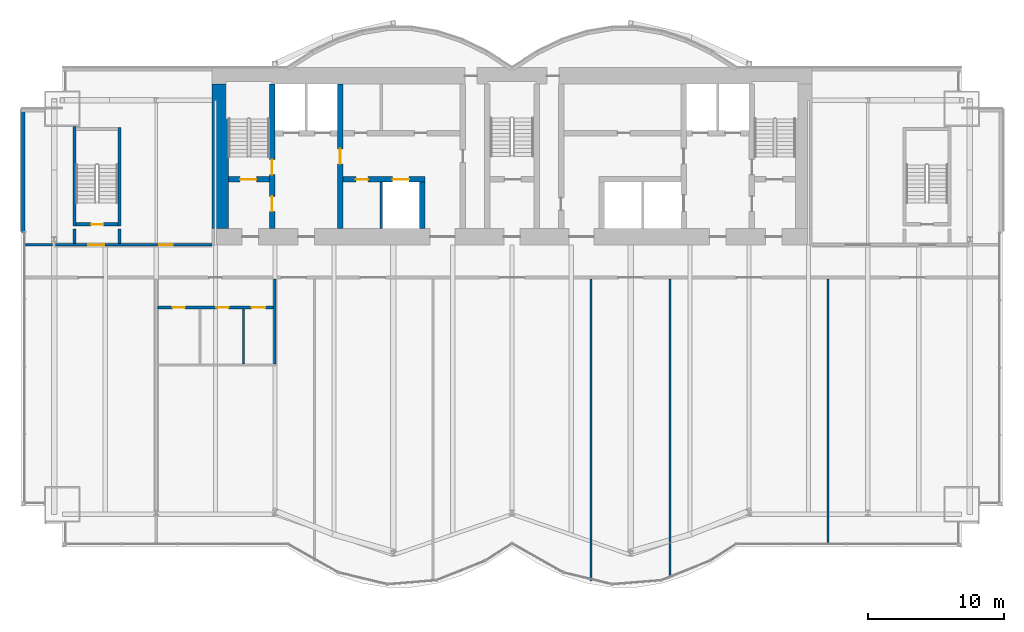
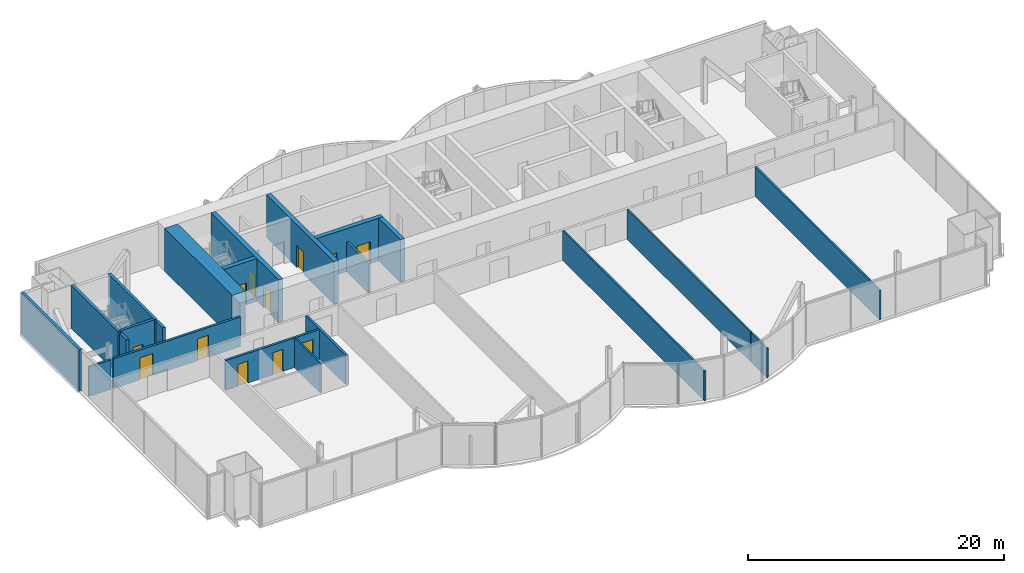
# One storey, part 15 of 21: 22 walls, 12 doors, 12 openings.
"""IFC4 building model written with IfcOpenShell, lengths in metres."""

from ifc_helpers import new_model, si_unit, direction, frame, frame_2d, origin, place, context, subcontext, project, spatial, rectangle, extrude, material, layer, layer_set, layer_usage, type_object, element, fill, save


model = new_model("IFC4")

# Units and contexts
model_context = context("Model", 3, precision=1e-05, world=origin(), true_north=direction((0.0, 1.0)))
body_context = subcontext(model_context, "Body", "Model", "MODEL_VIEW")
ifc_project = project(units=[si_unit("LENGTHUNIT", "METRE"), si_unit("AREAUNIT", "SQUARE_METRE"), si_unit("VOLUMEUNIT", "CUBIC_METRE"), si_unit("PLANEANGLEUNIT", "RADIAN"), si_unit("MASSUNIT", "GRAM", prefix="KILO")], contexts=[model_context])

# Site, building, storey
site_placement = place(None, origin())
site = spatial("IfcSite", under=ifc_project, at=site_placement, CompositionType="ELEMENT")
building_placement = place(site_placement, origin())
building = spatial("IfcBuilding", under=site, at=building_placement, Name="Bicima Exchange Tower", CompositionType="ELEMENT")
storey_placement = place(building_placement, frame((0.0, 0.0, 156.800048828125)))
storey = spatial("IfcBuildingStorey", under=building, at=storey_placement, Name="L34", CompositionType="ELEMENT", Elevation=156.800048828125)

# Wall
ifc_material_1 = material(Name="Gypsum board partition")
ifc_layer_1 = layer(ifc_material_1, 0.199951171875)
ifc_layer_set_1 = layer_set([ifc_layer_1], Name="Gypsum board partition")
wall_type_1 = type_object("IfcWallType", Name="Fire-rated gypsum partition 200 EI120", PredefinedType="PARTITIONING", material=ifc_layer_set_1)
wall_1_placement = place(storey_placement, frame((-9.60009765625, -11.800048828125, 0.0), z_axis=(0.0, 0.0, 1.0), x_axis=(0.0, 1.0, 0.0)))
element("IfcWall", 1, at=wall_1_placement, inside=storey, type_object=wall_type_1, Name="partition wall 11", PredefinedType="PARTITIONING", context=body_context, shape_type="SweptSolid", body=[
    extrude(rectangle(XDim=3.400146484375, YDim=0.199951171875, at=frame_2d((1.7001953125, 0.0))), origin(), (0.0, 0.0, 1.0), 2.84033203125),
])

# Wall, openings, doors
ifc_layer_2 = layer(ifc_material_1, 0.199951171875)
ifc_layer_set_2 = layer_set([ifc_layer_2], Name="Gypsum board partition")
wall_type_2 = type_object("IfcWallType", Name="Fire-rated gypsum partition 200 EI60", PredefinedType="PARTITIONING", material=ifc_layer_set_2)
wall_2_placement = place(storey_placement, frame((-26.0, -17.60009765625, 0.0), z_axis=(0.0, 0.0, 1.0), x_axis=(1.0, 0.0, 0.0)))
wall_2 = element("IfcWall", 2, at=wall_2_placement, inside=storey, type_object=wall_type_2, Name="partition wall 2", PredefinedType="PARTITIONING", context=body_context, shape_type="SweptSolid", body=[
    extrude(rectangle(XDim=8.5, YDim=0.199951171875, at=frame_2d((4.25, 0.0))), origin(), (0.0, 0.0, 1.0), 2.84033203125),
])
opening_1_placement = place(wall_2_placement, frame((1.10009765625, 0.0, 0.0)))
opening_1 = element("IfcOpeningElement", 3, at=opening_1_placement, cuts=wall_2, Name="Opening L34-009", PredefinedType="OPENING", context=body_context, shape_type="SweptSolid", body=[
    extrude(rectangle(XDim=0.89990234375, YDim=2.10009765625, at=frame_2d((0.449951171875, 1.050048828125))), frame((0.0, 0.11181640625, 0.0), z_axis=(0.0, -1.0, 0.0), x_axis=(1.0, 0.0, 0.0)), (0.0, 0.0, 1.0), 0.223876953125),
])
opening_2_placement = place(wall_2_placement, frame((4.300048828125, 0.0, 0.0)))
opening_2 = element("IfcOpeningElement", 4, at=opening_2_placement, cuts=wall_2, Name="Opening L34-010", PredefinedType="OPENING", context=body_context, shape_type="SweptSolid", body=[
    extrude(rectangle(XDim=0.89990234375, YDim=2.10009765625, at=frame_2d((0.449951171875, 1.050048828125))), frame((0.0, 0.11181640625, 0.0), z_axis=(0.0, -1.0, 0.0), x_axis=(1.0, 0.0, 0.0)), (0.0, 0.0, 1.0), 0.223876953125),
])
opening_3_placement = place(wall_2_placement, frame((6.89990234375, 0.0, 0.0)))
opening_3 = element("IfcOpeningElement", 5, at=opening_3_placement, cuts=wall_2, Name="Opening L34-011", PredefinedType="OPENING", context=body_context, shape_type="SweptSolid", body=[
    extrude(rectangle(XDim=1.0, YDim=2.10009765625, at=frame_2d((0.5, 1.050048828125))), frame((0.0, 0.11181640625, 0.0), z_axis=(0.0, -1.0, 0.0), x_axis=(1.0, 0.0, 0.0)), (0.0, 0.0, 1.0), 0.223876953125),
])
ifc_material_2 = material(Name="Steel fire door leaf", Category="steel")
door_type_1 = type_object("IfcDoorType", Name="Door 1000 swing FD30S", OperationType="SINGLE_SWING_LEFT", PredefinedType="DOOR", material=ifc_material_2)
door_1_placement = place(opening_3_placement, frame((1.0, 0.0, 0.0), z_axis=(0.0, 0.0, 1.0), x_axis=(-1.0, 0.0, 0.0)))
door_1 = element("IfcDoor", 6, at=door_1_placement, inside=storey, type_object=door_type_1, Name="Door", OperationType="SINGLE_SWING_RIGHT", OverallHeight=2.10009765625, OverallWidth=1.0, PredefinedType="DOOR", context=body_context, shape_type="SweptSolid", body=[
    extrude(rectangle(XDim=1.0, YDim=2.10009765625, at=frame_2d((0.5, 1.050048828125))), frame((0.0, 0.02490234375, 0.0), z_axis=(0.0, -1.0, 0.0), x_axis=(1.0, 0.0, 0.0)), (0.0, 0.0, 1.0), 0.050048828125),
])
fill(opening_3, door_1)
door_type_2 = type_object("IfcDoorType", Name="Door 900 swing FD30S", OperationType="SINGLE_SWING_LEFT", PredefinedType="DOOR", material=ifc_material_2)
door_2_placement = place(opening_1_placement, frame((0.89990234375, 0.0, 0.0), z_axis=(0.0, 0.0, 1.0), x_axis=(-1.0, 0.0, 0.0)))
door_2 = element("IfcDoor", 7, at=door_2_placement, inside=storey, type_object=door_type_2, Name="Door", OperationType="SINGLE_SWING_RIGHT", OverallHeight=2.10009765625, OverallWidth=0.89990234375, PredefinedType="DOOR", context=body_context, shape_type="SweptSolid", body=[
    extrude(rectangle(XDim=0.89990234375, YDim=2.10009765625, at=frame_2d((0.449951171875, 1.050048828125))), frame((0.0, 0.02490234375, 0.0), z_axis=(0.0, -1.0, 0.0), x_axis=(1.0, 0.0, 0.0)), (0.0, 0.0, 1.0), 0.050048828125),
])
fill(opening_1, door_2)
door_3_placement = place(opening_2_placement, frame((0.89990234375, 0.0, 0.0), z_axis=(0.0, 0.0, 1.0), x_axis=(-1.0, 0.0, 0.0)))
door_3 = element("IfcDoor", 8, at=door_3_placement, inside=storey, type_object=door_type_2, Name="Door", OperationType="SINGLE_SWING_LEFT", OverallHeight=2.10009765625, OverallWidth=0.89990234375, PredefinedType="DOOR", context=body_context, shape_type="SweptSolid", body=[
    extrude(rectangle(XDim=0.89990234375, YDim=2.10009765625, at=frame_2d((0.449951171875, 1.050048828125))), frame((0.0, 0.02490234375, 0.0), z_axis=(0.0, -1.0, 0.0), x_axis=(1.0, 0.0, 0.0)), (0.0, 0.0, 1.0), 0.050048828125),
])
fill(opening_2, door_3)

# Wall
wall_3_placement = place(storey_placement, frame((-35.679931640625, -13.0, 0.0), z_axis=(0.0, 0.0, 1.0), x_axis=(1.0, 0.0, 0.0)))
element("IfcWall", 9, at=wall_3_placement, inside=storey, type_object=wall_type_2, Name="partition wall 4", PredefinedType="PARTITIONING", context=body_context, shape_type="SweptSolid", body=[
    extrude(rectangle(XDim=1.9599609375, YDim=0.199951171875, at=frame_2d((0.97998046875, 0.0))), origin(), (0.0, 0.0, 1.0), 2.84033203125),
])

# Wall, openings, doors
wall_4_placement = place(storey_placement, frame((-33.47998046875, -13.0, 0.0), z_axis=(0.0, 0.0, 1.0), x_axis=(1.0, 0.0, 0.0)))
wall_4 = element("IfcWall", 10, at=wall_4_placement, inside=storey, type_object=wall_type_2, Name="partition wall 5", PredefinedType="PARTITIONING", context=body_context, shape_type="SweptSolid", body=[
    extrude(rectangle(XDim=11.47998046875, YDim=0.199951171875, at=frame_2d((5.739990234375, 0.0))), origin(), (0.0, 0.0, 1.0), 2.84033203125),
])
opening_4_placement = place(wall_4_placement, frame((2.3798828125, 0.0, 0.0)))
opening_4 = element("IfcOpeningElement", 11, at=opening_4_placement, cuts=wall_4, Name="Opening L34-001", PredefinedType="OPENING", context=body_context, shape_type="SweptSolid", body=[
    extrude(rectangle(XDim=1.199951171875, YDim=2.10009765625, at=frame_2d((0.60009765625, 1.050048828125))), frame((0.0, 0.11181640625, 0.0), z_axis=(0.0, -1.0, 0.0), x_axis=(1.0, 0.0, 0.0)), (0.0, 0.0, 1.0), 0.223876953125),
])
opening_5_placement = place(wall_4_placement, frame((7.580078125, 0.0, 0.0)))
opening_5 = element("IfcOpeningElement", 12, at=opening_5_placement, cuts=wall_4, Name="Opening L34-005", PredefinedType="OPENING", context=body_context, shape_type="SweptSolid", body=[
    extrude(rectangle(XDim=1.0, YDim=2.10009765625, at=frame_2d((0.5, 1.050048828125))), frame((0.0, 0.11181640625, 0.0), z_axis=(0.0, -1.0, 0.0), x_axis=(1.0, 0.0, 0.0)), (0.0, 0.0, 1.0), 0.223876953125),
])
door_4_placement = place(opening_5_placement, origin())
door_4 = element("IfcDoor", 13, at=door_4_placement, inside=storey, type_object=door_type_1, Name="Door", OperationType="SINGLE_SWING_LEFT", OverallHeight=2.10009765625, OverallWidth=1.0, PredefinedType="DOOR", context=body_context, shape_type="SweptSolid", body=[
    extrude(rectangle(XDim=1.0, YDim=2.10009765625, at=frame_2d((0.5, 1.050048828125))), frame((0.0, 0.02490234375, 0.0), z_axis=(0.0, -1.0, 0.0), x_axis=(1.0, 0.0, 0.0)), (0.0, 0.0, 1.0), 0.050048828125),
])
fill(opening_5, door_4)
door_type_3 = type_object("IfcDoorType", Name="Door 1200 swing FD30S", OperationType="SINGLE_SWING_LEFT", PredefinedType="DOOR", material=ifc_material_2)
door_5_placement = place(opening_4_placement, origin())
door_5 = element("IfcDoor", 14, at=door_5_placement, inside=storey, type_object=door_type_3, Name="Door", OperationType="SINGLE_SWING_LEFT", OverallHeight=2.10009765625, OverallWidth=1.199951171875, PredefinedType="DOOR", context=body_context, shape_type="SweptSolid", body=[
    extrude(rectangle(XDim=1.199951171875, YDim=2.10009765625, at=frame_2d((0.60009765625, 1.050048828125))), frame((0.0, 0.02490234375, 0.0), z_axis=(0.0, -1.0, 0.0), x_axis=(1.0, 0.0, 0.0)), (0.0, 0.0, 1.0), 0.050048828125),
])
fill(opening_4, door_5)

# Walls
wall_5_placement = place(storey_placement, frame((-17.39990234375, -21.72509765625, 0.0), z_axis=(0.0, 0.0, 1.0), x_axis=(0.0, 1.0, 0.0)))
element("IfcWall", 15, at=wall_5_placement, inside=storey, type_object=wall_type_2, Name="partition wall 17", PredefinedType="PARTITIONING", context=body_context, shape_type="SweptSolid", body=[
    extrude(rectangle(XDim=6.22509765625, YDim=0.199951171875, at=frame_2d((3.112548828125, 0.0))), origin(), (0.0, 0.0, 1.0), 2.84033203125),
])
ifc_layer_3 = layer(ifc_material_1, 0.14990234375)
ifc_layer_set_3 = layer_set([ifc_layer_3], Name="Gypsum board partition")
wall_type_3 = type_object("IfcWallType", Name="Gypsum partition 150", PredefinedType="PARTITIONING", material=ifc_layer_set_3)
wall_6_placement = place(storey_placement, frame((-19.699951171875, -21.72509765625, 0.0), z_axis=(0.0, 0.0, 1.0), x_axis=(0.0, 1.0, 0.0)))
element("IfcWall", 16, at=wall_6_placement, inside=storey, type_object=wall_type_3, Name="partition wall 16", PredefinedType="PARTITIONING", context=body_context, shape_type="SweptSolid", body=[
    extrude(rectangle(XDim=4.025146484375, YDim=0.14990234375, at=frame_2d((2.0126953125, 0.0))), origin(), (0.0, 0.0, 1.0), 2.84033203125),
])
wall_7_placement = place(storey_placement, frame((5.800048828125, -37.669921875, 0.0), z_axis=(0.0, 0.0, 1.0), x_axis=(0.0, 1.0, 0.0)))
element("IfcWall", 17, at=wall_7_placement, inside=storey, type_object=wall_type_3, Name="partition wall 21", PredefinedType="PARTITIONING", context=body_context, shape_type="SweptSolid", body=[
    extrude(rectangle(XDim=22.169921875, YDim=0.14990234375, at=frame_2d((11.0849609375, 0.0))), origin(), (0.0, 0.0, 1.0), 2.84033203125),
])
wall_8_placement = place(storey_placement, frame((11.60009765625, -37.419921875, 0.0), z_axis=(0.0, 0.0, 1.0), x_axis=(0.0, 1.0, 0.0)))
element("IfcWall", 18, at=wall_8_placement, inside=storey, type_object=wall_type_3, Name="partition wall 22", PredefinedType="PARTITIONING", context=body_context, shape_type="SweptSolid", body=[
    extrude(rectangle(XDim=2.501953125, YDim=0.14990234375, at=frame_2d((1.2509765625, 0.0))), origin(), (0.0, 0.0, 1.0), 2.84033203125),
])
wall_9_placement = place(storey_placement, frame((11.60009765625, -34.85498046875, 0.0), z_axis=(0.0, 0.0, 1.0), x_axis=(0.0, 1.0, 0.0)))
element("IfcWall", 19, at=wall_9_placement, inside=storey, type_object=wall_type_3, Name="partition wall 23", PredefinedType="PARTITIONING", context=body_context, shape_type="SweptSolid", body=[
    extrude(rectangle(XDim=19.35498046875, YDim=0.14990234375, at=frame_2d((9.677490234375, 0.0))), origin(), (0.0, 0.0, 1.0), 2.84033203125),
])
wall_10_placement = place(storey_placement, frame((23.199951171875, -34.9599609375, 0.0), z_axis=(0.0, 0.0, 1.0), x_axis=(0.0, 1.0, 0.0)))
element("IfcWall", 20, at=wall_10_placement, inside=storey, type_object=wall_type_3, Name="partition wall 24", PredefinedType="PARTITIONING", context=body_context, shape_type="SweptSolid", body=[
    extrude(rectangle(XDim=19.4599609375, YDim=0.14990234375, at=frame_2d((9.72998046875, 0.0))), origin(), (0.0, 0.0, 1.0), 2.84033203125),
])
ifc_material_3 = material(Name="Concrete C50/60", Category="concrete")
ifc_layer_4 = layer(ifc_material_3, 1.199951171875)
ifc_layer_set_4 = layer_set([ifc_layer_4], Name="Concrete C50/60")
wall_type_4 = type_object("IfcWallType", Name="RC core wall 1200 C50/60", PredefinedType="SHEAR", material=ifc_layer_set_4)
wall_11_placement = place(storey_placement, frame((-21.39990234375, -11.800048828125, 0.0), z_axis=(0.0, 0.0, 1.0), x_axis=(0.0, 1.0, 0.0)))
element("IfcWall", 21, at=wall_11_placement, inside=storey, type_object=wall_type_4, Name="Core wall west", PredefinedType="SHEAR", context=body_context, shape_type="SweptSolid", body=[
    extrude(rectangle(XDim=10.60009765625, YDim=1.199951171875, at=frame_2d((5.300048828125, 0.0))), origin(), (0.0, 0.0, 1.0), 4.099853515625),
])
ifc_layer_5 = layer(ifc_material_3, 0.25)
ifc_layer_set_5 = layer_set([ifc_layer_5], Name="Concrete C50/60")
wall_type_5 = type_object("IfcWallType", Name="RC core wall 250 C50/60", PredefinedType="SHEAR", material=ifc_layer_set_5)
for number, where, z_axis, x_axis, name in (
    (22, (-32.10009765625, -12.89990234375, 0.0), (0.0, 0.0, 1.0), (0.0, 1.0, 0.0), "stair wall 12"),
    (23, (-28.800048828125, -12.89990234375, 0.0), (0.0, 0.0, 1.0), (0.0, 1.0, 0.0), "stair wall 13"),
):
    element("IfcWall", number, at=place(storey_placement, frame(where, z_axis=z_axis, x_axis=x_axis)), inside=storey, type_object=wall_type_5, Name=name, PredefinedType="SHEAR", context=body_context, shape_type="SweptSolid", body=[
        extrude(rectangle(XDim=1.0498046875, YDim=0.25, at=frame_2d((0.52490234375, 0.0))), origin(), (0.0, 0.0, 1.0), 4.099853515625),
    ])

# Wall, opening, door
ifc_layer_6 = layer(ifc_material_3, 0.39990234375)
ifc_layer_set_6 = layer_set([ifc_layer_6], Name="Concrete C50/60")
wall_type_6 = type_object("IfcWallType", Name="RC core wall 400 C50/60", PredefinedType="SHEAR", material=ifc_layer_set_6)
wall_12_placement = place(storey_placement, frame((-20.800048828125, -8.199951171875, 0.0), z_axis=(0.0, 0.0, 1.0), x_axis=(1.0, 0.0, 0.0)))
wall_12 = element("IfcWall", 24, at=wall_12_placement, inside=storey, type_object=wall_type_6, Name="stair wall 1", PredefinedType="SHEAR", context=body_context, shape_type="SweptSolid", body=[
    extrude(rectangle(XDim=3.0, YDim=0.39990234375, at=frame_2d((1.5, 0.0))), origin(), (0.0, 0.0, 1.0), 4.099853515625),
])
opening_6_placement = place(wall_12_placement, frame((0.85009765625, 0.0, 0.0)))
opening_6 = element("IfcOpeningElement", 25, at=opening_6_placement, cuts=wall_12, Name="Opening L34-C01", PredefinedType="OPENING", context=body_context, shape_type="SweptSolid", body=[
    extrude(rectangle(XDim=1.199951171875, YDim=2.10009765625, at=frame_2d((0.60009765625, 1.050048828125))), frame((0.0, 0.2119140625, 0.0), z_axis=(0.0, -1.0, 0.0), x_axis=(1.0, 0.0, 0.0)), (0.0, 0.0, 1.0), 0.423828125),
])
door_type_4 = type_object("IfcDoorType", Name="Door 1200 swing FD60S", OperationType="SINGLE_SWING_LEFT", PredefinedType="DOOR", material=ifc_material_2)
door_6_placement = place(opening_6_placement, origin())
door_6 = element("IfcDoor", 26, at=door_6_placement, inside=storey, type_object=door_type_4, Name="Core door", OperationType="SINGLE_SWING_LEFT", OverallHeight=2.10009765625, OverallWidth=1.199951171875, PredefinedType="DOOR", context=body_context, shape_type="SweptSolid", body=[
    extrude(rectangle(XDim=1.199951171875, YDim=2.10009765625, at=frame_2d((0.60009765625, 1.050048828125))), frame((0.0, 0.02490234375, 0.0), z_axis=(0.0, -1.0, 0.0), x_axis=(1.0, 0.0, 0.0)), (0.0, 0.0, 1.0), 0.050048828125),
])
fill(opening_6, door_6)

# Wall, openings, doors
wall_13_placement = place(storey_placement, frame((-12.39990234375, -8.199951171875, 0.0), z_axis=(0.0, 0.0, 1.0), x_axis=(1.0, 0.0, 0.0)))
wall_13 = element("IfcWall", 27, at=wall_13_placement, inside=storey, type_object=wall_type_6, Name="shear wall 2", PredefinedType="SHEAR", context=body_context, shape_type="SweptSolid", body=[
    extrude(rectangle(XDim=6.0, YDim=0.39990234375, at=frame_2d((3.0, 0.0))), origin(), (0.0, 0.0, 1.0), 4.099853515625),
])
opening_7_placement = place(wall_13_placement, frame((3.64990234375, 0.0, 0.0)))
opening_7 = element("IfcOpeningElement", 28, at=opening_7_placement, cuts=wall_13, Name="Opening LD-MB1-L34", PredefinedType="OPENING", context=body_context, shape_type="SweptSolid", body=[
    extrude(rectangle(XDim=1.199951171875, YDim=2.10009765625, at=frame_2d((0.60009765625, 1.050048828125))), frame((0.0, 0.2119140625, 0.0), z_axis=(0.0, -1.0, 0.0), x_axis=(1.0, 0.0, 0.0)), (0.0, 0.0, 1.0), 0.423828125),
])
opening_8_placement = place(wall_13_placement, frame((0.949951171875, 0.0, 0.0)))
opening_8 = element("IfcOpeningElement", 29, at=opening_8_placement, cuts=wall_13, Name="Opening L34-C15", PredefinedType="OPENING", context=body_context, shape_type="SweptSolid", body=[
    extrude(rectangle(XDim=0.89990234375, YDim=2.10009765625, at=frame_2d((0.449951171875, 1.050048828125))), frame((0.0, 0.2119140625, 0.0), z_axis=(0.0, -1.0, 0.0), x_axis=(1.0, 0.0, 0.0)), (0.0, 0.0, 1.0), 0.423828125),
])
door_7_placement = place(opening_8_placement, frame((0.89990234375, 0.0, 0.0), z_axis=(0.0, 0.0, 1.0), x_axis=(-1.0, 0.0, 0.0)))
door_7 = element("IfcDoor", 30, at=door_7_placement, inside=storey, type_object=door_type_2, Name="Core door", OperationType="SINGLE_SWING_RIGHT", OverallHeight=2.10009765625, OverallWidth=0.89990234375, PredefinedType="DOOR", context=body_context, shape_type="SweptSolid", body=[
    extrude(rectangle(XDim=0.89990234375, YDim=2.10009765625, at=frame_2d((0.449951171875, 1.050048828125))), frame((0.0, 0.02490234375, 0.0), z_axis=(0.0, -1.0, 0.0), x_axis=(1.0, 0.0, 0.0)), (0.0, 0.0, 1.0), 0.050048828125),
])
fill(opening_8, door_7)
ifc_material_4 = material(Name="Stainless steel", Category="steel")
door_type_5 = type_object("IfcDoorType", Name="Lift landing door 1200 sliding", OperationType="DOUBLE_DOOR_SLIDING", PredefinedType="DOOR", material=ifc_material_4)
door_8_placement = place(opening_7_placement, origin())
door_8 = element("IfcDoor", 31, at=door_8_placement, inside=storey, type_object=door_type_5, Name="Lift landing door MB1", OperationType="DOUBLE_DOOR_SLIDING", OverallHeight=2.10009765625, OverallWidth=1.199951171875, PredefinedType="DOOR", context=body_context, shape_type="SweptSolid", body=[
    extrude(rectangle(XDim=1.199951171875, YDim=2.10009765625, at=frame_2d((0.60009765625, 1.050048828125))), frame((0.0, 0.02490234375, 0.0), z_axis=(0.0, -1.0, 0.0), x_axis=(1.0, 0.0, 0.0)), (0.0, 0.0, 1.0), 0.050048828125),
])
fill(opening_7, door_8)

wall_14_placement = place(storey_placement, frame((-17.60009765625, -11.800048828125, 0.0), z_axis=(0.0, 0.0, 1.0), x_axis=(0.0, 1.0, 0.0)))
wall_14 = element("IfcWall", 32, at=wall_14_placement, inside=storey, type_object=wall_type_6, Name="stair wall 8", PredefinedType="SHEAR", context=body_context, shape_type="SweptSolid", body=[
    extrude(rectangle(XDim=10.60009765625, YDim=0.39990234375, at=frame_2d((5.300048828125, 0.0))), origin(), (0.0, 0.0, 1.0), 4.099853515625),
])
opening_9_placement = place(wall_14_placement, frame((1.25, 0.0, 0.0)))
opening_9 = element("IfcOpeningElement", 33, at=opening_9_placement, cuts=wall_14, Name="Opening L34-C02", PredefinedType="OPENING", context=body_context, shape_type="SweptSolid", body=[
    extrude(rectangle(XDim=1.10009765625, YDim=2.10009765625, at=frame_2d((0.550048828125, 1.050048828125))), frame((0.0, 0.2119140625, 0.0), z_axis=(0.0, -1.0, 0.0), x_axis=(1.0, 0.0, 0.0)), (0.0, 0.0, 1.0), 0.423828125),
])
opening_10_placement = place(wall_14_placement, frame((3.949951171875, 0.0, 0.0)))
opening_10 = element("IfcOpeningElement", 34, at=opening_10_placement, cuts=wall_14, Name="Opening L34-C06", PredefinedType="OPENING", context=body_context, shape_type="SweptSolid", body=[
    extrude(rectangle(XDim=1.10009765625, YDim=2.10009765625, at=frame_2d((0.550048828125, 1.050048828125))), frame((0.0, 0.2119140625, 0.0), z_axis=(0.0, -1.0, 0.0), x_axis=(1.0, 0.0, 0.0)), (0.0, 0.0, 1.0), 0.423828125),
])
door_type_6 = type_object("IfcDoorType", Name="Door 1100 swing FD60S", OperationType="SINGLE_SWING_LEFT", PredefinedType="DOOR", material=ifc_material_2)
door_9_placement = place(opening_9_placement, frame((1.10009765625, 0.0, 0.0), z_axis=(0.0, 0.0, 1.0), x_axis=(-1.0, 0.0, 0.0)))
door_9 = element("IfcDoor", 35, at=door_9_placement, inside=storey, type_object=door_type_6, Name="Core door", OperationType="SINGLE_SWING_LEFT", OverallHeight=2.10009765625, OverallWidth=1.10009765625, PredefinedType="DOOR", context=body_context, shape_type="SweptSolid", body=[
    extrude(rectangle(XDim=1.10009765625, YDim=2.10009765625, at=frame_2d((0.550048828125, 1.050048828125))), frame((0.0, 0.02490234375, 0.0), z_axis=(0.0, -1.0, 0.0), x_axis=(1.0, 0.0, 0.0)), (0.0, 0.0, 1.0), 0.050048828125),
])
fill(opening_9, door_9)
door_10_placement = place(opening_10_placement, frame((1.10009765625, 0.0, 0.0), z_axis=(0.0, 0.0, 1.0), x_axis=(-1.0, 0.0, 0.0)))
door_10 = element("IfcDoor", 36, at=door_10_placement, inside=storey, type_object=door_type_6, Name="Core door", OperationType="SINGLE_SWING_LEFT", OverallHeight=2.10009765625, OverallWidth=1.10009765625, PredefinedType="DOOR", context=body_context, shape_type="SweptSolid", body=[
    extrude(rectangle(XDim=1.10009765625, YDim=2.10009765625, at=frame_2d((0.550048828125, 1.050048828125))), frame((0.0, 0.02490234375, 0.0), z_axis=(0.0, -1.0, 0.0), x_axis=(1.0, 0.0, 0.0)), (0.0, 0.0, 1.0), 0.050048828125),
])
fill(opening_10, door_10)

# Wall, opening, door
wall_15_placement = place(storey_placement, frame((-12.60009765625, -11.800048828125, 0.0), z_axis=(0.0, 0.0, 1.0), x_axis=(0.0, 1.0, 0.0)))
wall_15 = element("IfcWall", 37, at=wall_15_placement, inside=storey, type_object=wall_type_6, Name="shear wall 10", PredefinedType="SHEAR", context=body_context, shape_type="SweptSolid", body=[
    extrude(rectangle(XDim=10.60009765625, YDim=0.39990234375, at=frame_2d((5.300048828125, 0.0))), origin(), (0.0, 0.0, 1.0), 4.099853515625),
])
opening_11_placement = place(wall_15_placement, frame((4.75, 0.0, 0.0)))
opening_11 = element("IfcOpeningElement", 38, at=opening_11_placement, cuts=wall_15, Name="Opening L34-C07", PredefinedType="OPENING", context=body_context, shape_type="SweptSolid", body=[
    extrude(rectangle(XDim=1.10009765625, YDim=2.10009765625, at=frame_2d((0.550048828125, 1.050048828125))), frame((0.0, 0.2119140625, 0.0), z_axis=(0.0, -1.0, 0.0), x_axis=(1.0, 0.0, 0.0)), (0.0, 0.0, 1.0), 0.423828125),
])
door_11_placement = place(opening_11_placement, origin())
door_11 = element("IfcDoor", 39, at=door_11_placement, inside=storey, type_object=door_type_6, Name="Core door", OperationType="SINGLE_SWING_LEFT", OverallHeight=2.10009765625, OverallWidth=1.10009765625, PredefinedType="DOOR", context=body_context, shape_type="SweptSolid", body=[
    extrude(rectangle(XDim=1.10009765625, YDim=2.10009765625, at=frame_2d((0.550048828125, 1.050048828125))), frame((0.0, 0.02490234375, 0.0), z_axis=(0.0, -1.0, 0.0), x_axis=(1.0, 0.0, 0.0)), (0.0, 0.0, 1.0), 0.050048828125),
])
fill(opening_11, door_11)

# Walls
wall_16_placement = place(storey_placement, frame((-6.60009765625, -11.800048828125, 0.0), z_axis=(0.0, 0.0, 1.0), x_axis=(0.0, 1.0, 0.0)))
element("IfcWall", 40, at=wall_16_placement, inside=storey, type_object=wall_type_6, Name="shear wall 13", PredefinedType="SHEAR", context=body_context, shape_type="SweptSolid", body=[
    extrude(rectangle(XDim=3.400146484375, YDim=0.39990234375, at=frame_2d((1.7001953125, 0.0))), origin(), (0.0, 0.0, 1.0), 4.099853515625),
])
ifc_layer_7 = layer(ifc_material_3, 0.25)
ifc_layer_set_7 = layer_set([ifc_layer_7], Name="Concrete C50/60")
wall_type_7 = type_object("IfcWallType", Name="RC stair enclosure wall 250 C50/60", PredefinedType="SHEAR", material=ifc_layer_set_7)
wall_17_placement = place(storey_placement, frame((-32.10009765625, -11.625, 0.0), z_axis=(0.0, 0.0, 1.0), x_axis=(0.0, 1.0, 0.0)))
element("IfcWall", 41, at=wall_17_placement, inside=storey, type_object=wall_type_7, Name="West end exit stair wall W", PredefinedType="SHEAR", context=body_context, shape_type="SweptSolid", body=[
    extrude(rectangle(XDim=7.324951171875, YDim=0.25, at=frame_2d((3.66259765625, 0.0))), origin(), (0.0, 0.0, 1.0), 4.099853515625),
])
wall_18_placement = place(storey_placement, frame((-28.800048828125, -11.625, 0.0), z_axis=(0.0, 0.0, 1.0), x_axis=(0.0, 1.0, 0.0)))
element("IfcWall", 42, at=wall_18_placement, inside=storey, type_object=wall_type_7, Name="West end exit stair wall E", PredefinedType="SHEAR", context=body_context, shape_type="SweptSolid", body=[
    extrude(rectangle(XDim=7.25, YDim=0.25, at=frame_2d((3.625, 0.0))), origin(), (0.0, 0.0, 1.0), 4.099853515625),
])

# Wall, opening, door
wall_19_placement = place(storey_placement, frame((-31.97509765625, -11.5, 0.0), z_axis=(0.0, 0.0, 1.0), x_axis=(1.0, 0.0, 0.0)))
wall_19 = element("IfcWall", 43, at=wall_19_placement, inside=storey, type_object=wall_type_7, Name="West end exit stair wall S", PredefinedType="SHEAR", context=body_context, shape_type="SweptSolid", body=[
    extrude(rectangle(XDim=3.050048828125, YDim=0.25, at=frame_2d((1.52490234375, 0.0))), origin(), (0.0, 0.0, 1.0), 4.099853515625),
])
opening_12_placement = place(wall_19_placement, frame((1.10009765625, 0.0, 0.0)))
opening_12 = element("IfcOpeningElement", 44, at=opening_12_placement, cuts=wall_19, Name="Opening L34-002", PredefinedType="OPENING", context=body_context, shape_type="SweptSolid", body=[
    extrude(rectangle(XDim=0.89990234375, YDim=2.10009765625, at=frame_2d((0.449951171875, 1.050048828125))), frame((0.0, 0.136962890625, 0.0), z_axis=(0.0, -1.0, 0.0), x_axis=(1.0, 0.0, 0.0)), (0.0, 0.0, 1.0), 0.27392578125),
])
door_type_7 = type_object("IfcDoorType", Name="Door 900 swing FD60S", OperationType="SINGLE_SWING_LEFT", PredefinedType="DOOR", material=ifc_material_2)
door_12_placement = place(opening_12_placement, origin())
door_12 = element("IfcDoor", 45, at=door_12_placement, inside=storey, type_object=door_type_7, Name="Door", OperationType="SINGLE_SWING_LEFT", OverallHeight=2.10009765625, OverallWidth=0.89990234375, PredefinedType="DOOR", context=body_context, shape_type="SweptSolid", body=[
    extrude(rectangle(XDim=0.89990234375, YDim=2.10009765625, at=frame_2d((0.449951171875, 1.050048828125))), frame((0.0, 0.02490234375, 0.0), z_axis=(0.0, -1.0, 0.0), x_axis=(1.0, 0.0, 0.0)), (0.0, 0.0, 1.0), 0.050048828125),
])
fill(opening_12, door_12)

# Wall
ifc_material_5 = material(Name="Concrete C40/50", Category="concrete")
ifc_layer_8 = layer(ifc_material_5, 0.25)
ifc_layer_set_8 = layer_set([ifc_layer_8], Name="Concrete C40/50")
ifc_layer_usage = layer_usage(ifc_layer_set_8, "AXIS2", "POSITIVE", -0.125)
wall_type_8 = type_object("IfcWallType", Name="Rear backup wall 250", PredefinedType="STANDARD", material=ifc_layer_set_8)
wall_20_placement = place(storey_placement, frame((-35.875, -3.0, 0.0), z_axis=(0.0, 0.0, 1.0), x_axis=(0.0, -1.0, 0.0)))
element("IfcWall", 46, at=wall_20_placement, inside=storey, type_object=wall_type_8, material=ifc_layer_usage, Name="Rear backup wall L34 23", PredefinedType="STANDARD", context=body_context, shape_type="SweptSolid", body=[
    extrude(rectangle(XDim=9.090087890625, YDim=0.25, at=frame_2d((4.544921875, 0.0))), origin(), (0.0, 0.0, 1.0), 3.949951171875),
])

save(model, "model.ifc")
